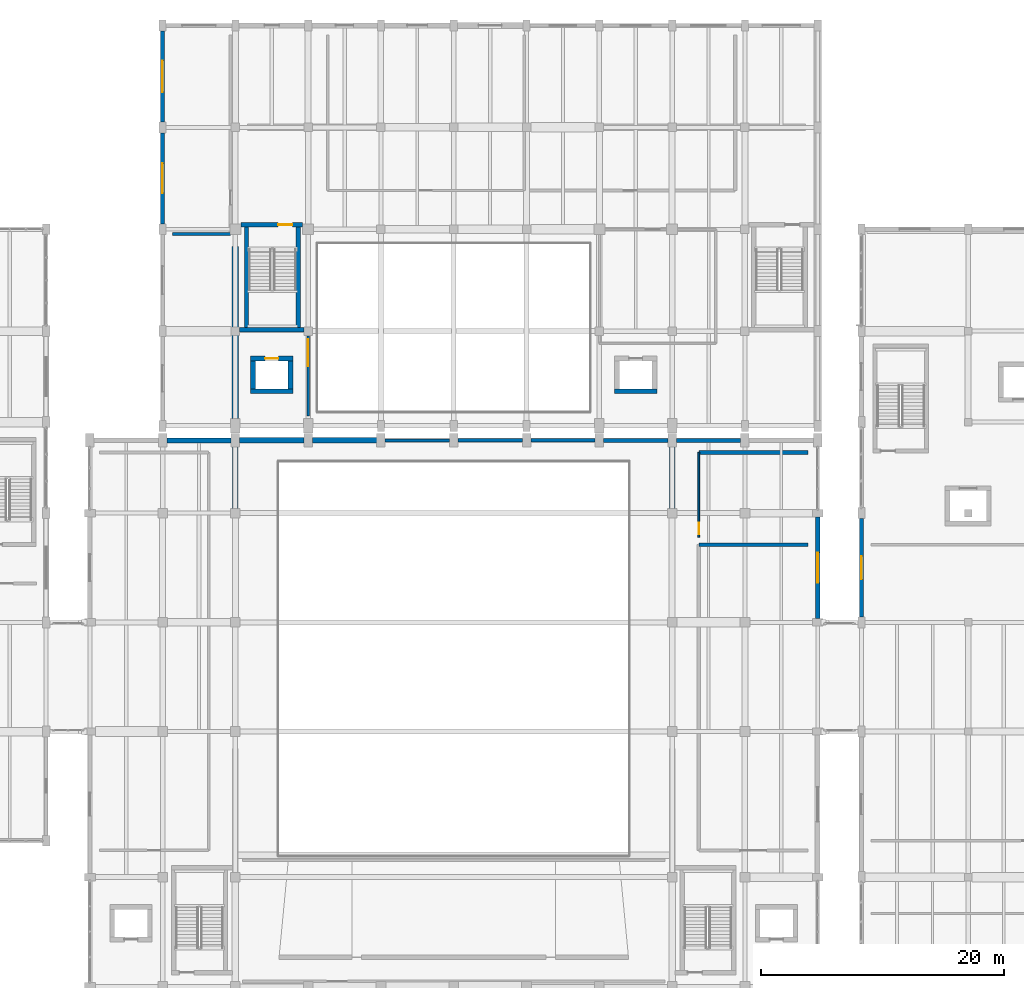
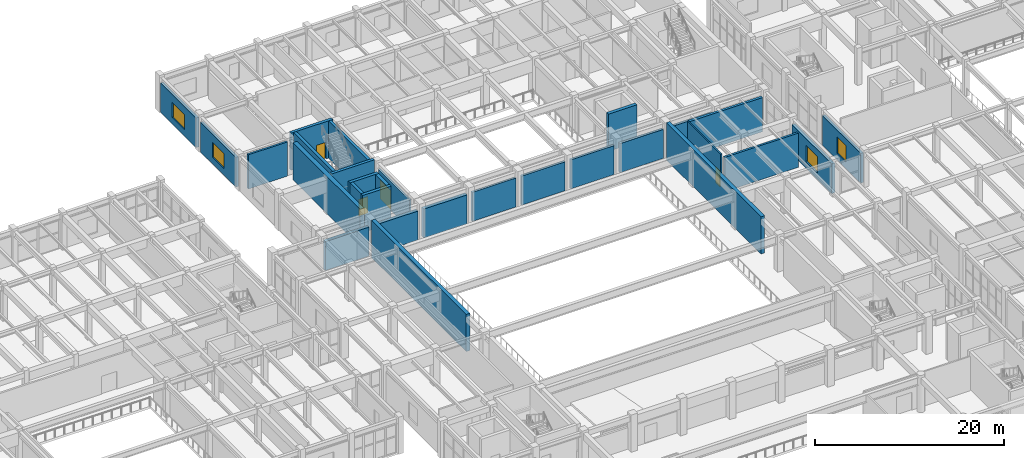
# One storey, part 72 of 96: 29 walls, 4 doors, 4 windows, 8 openings.
"""IFC4 building model written with IfcOpenShell, lengths in metres."""

from ifc_helpers import new_model, si_unit, direction, frame, frame_2d, origin, place, context, subcontext, project, spatial, rectangle, extrude, material, layer, layer_set, type_object, element, fill, save


model = new_model("IFC4")

# Units and contexts
model_context = context("Model", 3, precision=1e-05, world=origin(), true_north=direction((0.0, 1.0)))
body_context = subcontext(model_context, "Body", "Model", "MODEL_VIEW")
ifc_project = project(units=[si_unit("LENGTHUNIT", "METRE"), si_unit("AREAUNIT", "SQUARE_METRE"), si_unit("VOLUMEUNIT", "CUBIC_METRE"), si_unit("PLANEANGLEUNIT", "RADIAN"), si_unit("MASSUNIT", "GRAM", prefix="KILO")], contexts=[model_context])

# Site, building, storey
site_placement = place(None, origin())
site = spatial("IfcSite", under=ifc_project, at=site_placement, CompositionType="ELEMENT")
building_placement = place(site_placement, origin())
building = spatial("IfcBuilding", under=site, at=building_placement, Name="Vaelkrest Opera House", CompositionType="ELEMENT")
storey_placement = place(building_placement, frame((0.0, 0.0, 5.39990234375)))
storey = spatial("IfcBuildingStorey", under=building, at=storey_placement, Name="L01", CompositionType="ELEMENT", Elevation=5.39990234375)

# Walls
ifc_material_1 = material(Name="Douglas fir glulam GL28h", Category="wood")
ifc_layer_1 = layer(ifc_material_1, 0.2548828125)
ifc_layer_set_1 = layer_set([ifc_layer_1], Name="Douglas fir glulam GL28h")
wall_type_1 = type_object("IfcWallType", Name="EW01", PredefinedType="STANDARD", material=ifc_layer_set_1)
wall_1_placement = place(storey_placement, frame((-5.652099609375, 16.199951171875, 0.0), z_axis=(0.0, 0.0, 1.0), x_axis=(1.0, 0.0, 0.0)))
element("IfcWall", 1, at=wall_1_placement, inside=storey, type_object=wall_type_1, Name="Exterior facade wall EW-V1-L01-0041", PredefinedType="STANDARD", context=body_context, shape_type="SweptSolid", body=[
    extrude(rectangle(XDim=5.30419921875, YDim=0.2548828125, at=frame_2d((2.652099609375, 0.0))), origin(), (0.0, 0.0, 1.0), 3.739990234375),
])
ifc_layer_2 = layer(ifc_material_1, 0.27490234375)
ifc_layer_set_2 = layer_set([ifc_layer_2], Name="Douglas fir glulam GL28h")
wall_type_2 = type_object("IfcWallType", Name="EW02", PredefinedType="STANDARD", material=ifc_layer_set_2)
wall_2_placement = place(storey_placement, frame((0.347900390625, 16.199951171875, 0.0), z_axis=(0.0, 0.0, 1.0), x_axis=(1.0, 0.0, 0.0)))
element("IfcWall", 2, at=wall_2_placement, inside=storey, type_object=wall_type_2, Name="Exterior facade wall EW-V1-L01-0042", PredefinedType="STANDARD", context=body_context, shape_type="SweptSolid", body=[
    extrude(rectangle(XDim=5.30419921875, YDim=0.27490234375, at=frame_2d((2.652099609375, 0.0))), origin(), (0.0, 0.0, 1.0), 3.739990234375),
])
ifc_layer_3 = layer(ifc_material_1, 0.294921875)
ifc_layer_set_3 = layer_set([ifc_layer_3], Name="Douglas fir glulam GL28h")
wall_type_3 = type_object("IfcWallType", Name="EW03", PredefinedType="STANDARD", material=ifc_layer_set_3)
wall_3_placement = place(storey_placement, frame((6.347900390625, 16.199951171875, 0.0), z_axis=(0.0, 0.0, 1.0), x_axis=(1.0, 0.0, 0.0)))
element("IfcWall", 3, at=wall_3_placement, inside=storey, type_object=wall_type_3, Name="Exterior facade wall EW-V1-L01-0043", PredefinedType="STANDARD", context=body_context, shape_type="SweptSolid", body=[
    extrude(rectangle(XDim=5.30419921875, YDim=0.294921875, at=frame_2d((2.652099609375, 0.0))), origin(), (0.0, 0.0, 1.0), 3.739990234375),
])
ifc_material_2 = material(Name="American black walnut acoustic timber", Category="wood")
ifc_layer_4 = layer(ifc_material_2, 0.31494140625)
ifc_layer_set_4 = layer_set([ifc_layer_4], Name="American black walnut acoustic timber")
wall_type_4 = type_object("IfcWallType", Name="EW04", PredefinedType="STANDARD", material=ifc_layer_set_4)
wall_4_placement = place(storey_placement, frame((12.347900390625, 16.199951171875, 0.0), z_axis=(0.0, 0.0, 1.0), x_axis=(1.0, 0.0, 0.0)))
element("IfcWall", 4, at=wall_4_placement, inside=storey, type_object=wall_type_4, Name="Exterior facade wall EW-V1-L01-0044", PredefinedType="STANDARD", context=body_context, shape_type="SweptSolid", body=[
    extrude(rectangle(XDim=5.30419921875, YDim=0.31494140625, at=frame_2d((2.652099609375, 0.0))), origin(), (0.0, 0.0, 1.0), 3.739990234375),
])

# Wall, opening, window
wall_5_placement = place(storey_placement, frame((-24.0, 34.048095703125, 0.0), z_axis=(0.0, 0.0, 1.0), x_axis=(0.0, 1.0, 0.0)))
wall_5 = element("IfcWall", 5, at=wall_5_placement, inside=storey, type_object=wall_type_4, Name="Exterior facade wall EW-V2-L01-0344", PredefinedType="STANDARD", context=body_context, shape_type="SweptSolid", body=[
    extrude(rectangle(XDim=7.50390625, YDim=0.31494140625, at=frame_2d((3.751953125, 0.0))), origin(), (0.0, 0.0, 1.0), 3.8291015625),
])
opening_1_placement = place(wall_5_placement, frame((2.527099609375, 0.0, 0.85009765625)))
opening_1 = element("IfcOpeningElement", 6, at=opening_1_placement, cuts=wall_5, Name="Opening WN218", PredefinedType="OPENING", context=body_context, shape_type="SweptSolid", body=[
    extrude(rectangle(XDim=2.449951171875, YDim=1.949951171875, at=frame_2d((1.22509765625, 0.97509765625))), frame((0.0, 0.16748046875, 0.0), z_axis=(0.0, -1.0, 0.0), x_axis=(1.0, 0.0, 0.0)), (0.0, 0.0, 1.0), 0.3349609375),
])
ifc_material_3 = material(Name="Double low-E insulated glazing", Category="glass")
window_type_1 = type_object("IfcWindowType", Name="WT10", PartitioningType="SINGLE_PANEL", PredefinedType="WINDOW", material=ifc_material_3)
window_1_placement = place(opening_1_placement, origin())
window_1 = element("IfcWindow", 7, at=window_1_placement, inside=storey, type_object=window_type_1, Name="Facade window WN218", OverallHeight=1.949951171875, OverallWidth=2.449951171875, PartitioningType="SINGLE_PANEL", PredefinedType="WINDOW", context=body_context, shape_type="SweptSolid", body=[
    extrude(rectangle(XDim=2.449951171875, YDim=1.949951171875, at=frame_2d((1.22509765625, 0.97509765625))), frame((0.0, 0.030029296875, 0.0), z_axis=(0.0, -1.0, 0.0), x_axis=(1.0, 0.0, 0.0)), (0.0, 0.0, 1.0), 0.06005859375),
])
fill(opening_1, window_1)

# Wall
ifc_layer_5 = layer(ifc_material_2, 0.3349609375)
ifc_layer_set_5 = layer_set([ifc_layer_5], Name="American black walnut acoustic timber")
wall_type_5 = type_object("IfcWallType", Name="EW05", PredefinedType="STANDARD", material=ifc_layer_set_5)
wall_6_placement = place(storey_placement, frame((18.347900390625, 16.199951171875, 0.0), z_axis=(0.0, 0.0, 1.0), x_axis=(1.0, 0.0, 0.0)))
element("IfcWall", 8, at=wall_6_placement, inside=storey, type_object=wall_type_5, Name="Exterior facade wall EW-V1-L01-0045", PredefinedType="STANDARD", context=body_context, shape_type="SweptSolid", body=[
    extrude(rectangle(XDim=5.30419921875, YDim=0.3349609375, at=frame_2d((2.652099609375, 0.0))), origin(), (0.0, 0.0, 1.0), 3.739990234375),
])

# Wall, opening, window
wall_7_placement = place(storey_placement, frame((33.60009765625, 1.64794921875, 0.0), z_axis=(0.0, 0.0, 1.0), x_axis=(0.0, 1.0, 0.0)))
wall_7 = element("IfcWall", 9, at=wall_7_placement, inside=storey, type_object=wall_type_5, Name="Exterior facade wall EW-V4-L01-0235", PredefinedType="STANDARD", context=body_context, shape_type="SweptSolid", body=[
    extrude(rectangle(XDim=8.10400390625, YDim=0.3349609375, at=frame_2d((4.052001953125, 0.0))), origin(), (0.0, 0.0, 1.0), 3.82421875),
])
opening_2_placement = place(wall_7_placement, frame((3.10205078125, 0.0, 0.85009765625)))
opening_2 = element("IfcOpeningElement", 10, at=opening_2_placement, cuts=wall_7, Name="Opening WN120", PredefinedType="OPENING", context=body_context, shape_type="SweptSolid", body=[
    extrude(rectangle(XDim=1.89990234375, YDim=2.10009765625, at=frame_2d((0.949951171875, 1.050048828125))), frame((0.0, 0.177490234375, 0.0), z_axis=(0.0, -1.0, 0.0), x_axis=(1.0, 0.0, 0.0)), (0.0, 0.0, 1.0), 0.35498046875),
])
window_type_2 = type_object("IfcWindowType", Name="WT16", PartitioningType="SINGLE_PANEL", PredefinedType="WINDOW", material=ifc_material_3)
window_2_placement = place(opening_2_placement, origin())
window_2 = element("IfcWindow", 11, at=window_2_placement, inside=storey, type_object=window_type_2, Name="Facade window WN120", OverallHeight=2.10009765625, OverallWidth=1.89990234375, PartitioningType="SINGLE_PANEL", PredefinedType="WINDOW", context=body_context, shape_type="SweptSolid", body=[
    extrude(rectangle(XDim=1.89990234375, YDim=2.10009765625, at=frame_2d((0.949951171875, 1.050048828125))), frame((0.0, 0.030029296875, 0.0), z_axis=(0.0, -1.0, 0.0), x_axis=(1.0, 0.0, 0.0)), (0.0, 0.0, 1.0), 0.06005859375),
])
fill(opening_2, window_2)

wall_8_placement = place(storey_placement, frame((-24.0, 42.447998046875, 0.0), z_axis=(0.0, 0.0, 1.0), x_axis=(0.0, 1.0, 0.0)))
wall_8 = element("IfcWall", 12, at=wall_8_placement, inside=storey, type_object=wall_type_5, Name="Exterior facade wall EW-V2-L01-0345", PredefinedType="STANDARD", context=body_context, shape_type="SweptSolid", body=[
    extrude(rectangle(XDim=7.50390625, YDim=0.3349609375, at=frame_2d((3.751953125, 0.0))), origin(), (0.0, 0.0, 1.0), 3.8291015625),
])
opening_3_placement = place(wall_8_placement, frame((2.451904296875, 0.0, 0.85009765625)))
opening_3 = element("IfcOpeningElement", 13, at=opening_3_placement, cuts=wall_8, Name="Opening WN219", PredefinedType="OPENING", context=body_context, shape_type="SweptSolid", body=[
    extrude(rectangle(XDim=2.60009765625, YDim=1.949951171875, at=frame_2d((1.300048828125, 0.97509765625))), frame((0.0, 0.177490234375, 0.0), z_axis=(0.0, -1.0, 0.0), x_axis=(1.0, 0.0, 0.0)), (0.0, 0.0, 1.0), 0.35498046875),
])
window_type_3 = type_object("IfcWindowType", Name="WT11", PartitioningType="SINGLE_PANEL", PredefinedType="WINDOW", material=ifc_material_3)
window_3_placement = place(opening_3_placement, origin())
window_3 = element("IfcWindow", 14, at=window_3_placement, inside=storey, type_object=window_type_3, Name="Facade window WN219", OverallHeight=1.949951171875, OverallWidth=2.60009765625, PartitioningType="SINGLE_PANEL", PredefinedType="WINDOW", context=body_context, shape_type="SweptSolid", body=[
    extrude(rectangle(XDim=2.60009765625, YDim=1.949951171875, at=frame_2d((1.300048828125, 0.97509765625))), frame((0.0, 0.030029296875, 0.0), z_axis=(0.0, -1.0, 0.0), x_axis=(1.0, 0.0, 0.0)), (0.0, 0.0, 1.0), 0.06005859375),
])
fill(opening_3, window_3)

ifc_material_4 = material(Name="Concrete C40/50", Category="concrete")
ifc_layer_6 = layer(ifc_material_4, 0.385009765625)
ifc_layer_set_6 = layer_set([ifc_layer_6], Name="Concrete C40/50")
wall_type_6 = type_object("IfcWallType", Name="EW07", PredefinedType="STANDARD", material=ifc_layer_set_6)
wall_9_placement = place(storey_placement, frame((30.0, 9.902099609375, 0.0), z_axis=(0.0, 0.0, 1.0), x_axis=(0.0, -1.0, 0.0)))
wall_9 = element("IfcWall", 15, at=wall_9_placement, inside=storey, type_object=wall_type_6, Name="Exterior facade wall EW-V1-L01-0047", PredefinedType="STANDARD", context=body_context, shape_type="SweptSolid", body=[
    extrude(rectangle(XDim=8.404052734375, YDim=0.385009765625, at=frame_2d((4.2021484375, 0.0))), origin(), (0.0, 0.0, 1.0), 3.82421875),
])
opening_4_placement = place(wall_9_placement, frame((2.951904296875, 0.0, 0.85009765625)))
opening_4 = element("IfcOpeningElement", 16, at=opening_4_placement, cuts=wall_9, Name="Opening WN018", PredefinedType="OPENING", context=body_context, shape_type="SweptSolid", body=[
    extrude(rectangle(XDim=2.5, YDim=2.10009765625, at=frame_2d((1.25, 1.050048828125))), frame((0.0, 0.202392578125, 0.0), z_axis=(0.0, -1.0, 0.0), x_axis=(1.0, 0.0, 0.0)), (0.0, 0.0, 1.0), 0.405029296875),
])
window_type_4 = type_object("IfcWindowType", Name="WT18", PartitioningType="SINGLE_PANEL", PredefinedType="WINDOW", material=ifc_material_3)
window_4_placement = place(opening_4_placement, origin())
window_4 = element("IfcWindow", 17, at=window_4_placement, inside=storey, type_object=window_type_4, Name="Facade window WN018", OverallHeight=2.10009765625, OverallWidth=2.5, PartitioningType="SINGLE_PANEL", PredefinedType="WINDOW", context=body_context, shape_type="SweptSolid", body=[
    extrude(rectangle(XDim=2.5, YDim=2.10009765625, at=frame_2d((1.25, 1.050048828125))), frame((0.0, 0.030029296875, 0.0), z_axis=(0.0, -1.0, 0.0), x_axis=(1.0, 0.0, 0.0)), (0.0, 0.0, 1.0), 0.06005859375),
])
fill(opening_4, window_4)

# Walls
ifc_layer_7 = layer(ifc_material_4, 0.409912109375)
ifc_layer_set_7 = layer_set([ifc_layer_7], Name="Concrete C40/50")
wall_type_7 = type_object("IfcWallType", Name="EW08", PredefinedType="STANDARD", material=ifc_layer_set_7)
wall_10_placement = place(storey_placement, frame((-23.652099609375, 16.199951171875, 0.0), z_axis=(0.0, 0.0, 1.0), x_axis=(1.0, 0.0, 0.0)))
element("IfcWall", 18, at=wall_10_placement, inside=storey, type_object=wall_type_7, Name="Exterior facade wall EW-V1-L01-0038", PredefinedType="STANDARD", context=body_context, shape_type="SweptSolid", body=[
    extrude(rectangle(XDim=5.30419921875, YDim=0.409912109375, at=frame_2d((2.652099609375, 0.0))), origin(), (0.0, 0.0, 1.0), 3.739990234375),
])
ifc_layer_8 = layer(ifc_material_4, 0.43505859375)
ifc_layer_set_8 = layer_set([ifc_layer_8], Name="Concrete C40/50")
wall_type_8 = type_object("IfcWallType", Name="EW09", PredefinedType="STANDARD", material=ifc_layer_set_8)
wall_11_placement = place(storey_placement, frame((-17.652099609375, 16.199951171875, 0.0), z_axis=(0.0, 0.0, 1.0), x_axis=(1.0, 0.0, 0.0)))
element("IfcWall", 19, at=wall_11_placement, inside=storey, type_object=wall_type_8, Name="Exterior facade wall EW-V1-L01-0039", PredefinedType="STANDARD", context=body_context, shape_type="SweptSolid", body=[
    extrude(rectangle(XDim=5.30419921875, YDim=0.43505859375, at=frame_2d((2.652099609375, 0.0))), origin(), (0.0, 0.0, 1.0), 3.739990234375),
])
ifc_layer_9 = layer(ifc_material_4, 0.465087890625)
ifc_layer_set_9 = layer_set([ifc_layer_9], Name="Concrete C40/50")
wall_type_9 = type_object("IfcWallType", Name="EW10", PredefinedType="STANDARD", material=ifc_layer_set_9)
wall_12_placement = place(storey_placement, frame((-11.652099609375, 16.199951171875, 0.0), z_axis=(0.0, 0.0, 1.0), x_axis=(1.0, 0.0, 0.0)))
element("IfcWall", 20, at=wall_12_placement, inside=storey, type_object=wall_type_9, Name="Exterior facade wall EW-V1-L01-0040", PredefinedType="STANDARD", context=body_context, shape_type="SweptSolid", body=[
    extrude(rectangle(XDim=5.30419921875, YDim=0.465087890625, at=frame_2d((2.652099609375, 0.0))), origin(), (0.0, 0.0, 1.0), 3.739990234375),
])

# Wall, opening, door
ifc_layer_10 = layer(ifc_material_2, 0.2099609375)
ifc_layer_set_10 = layer_set([ifc_layer_10], Name="American black walnut acoustic timber")
wall_type_10 = type_object("IfcWallType", Name="PT07", PredefinedType="PARTITIONING", material=ifc_layer_set_10)
wall_13_placement = place(storey_placement, frame((-12.0, 18.199951171875, 0.0), z_axis=(0.0, 0.0, 1.0), x_axis=(0.0, 1.0, 0.0)))
wall_13 = element("IfcWall", 21, at=wall_13_placement, inside=storey, type_object=wall_type_10, Name="Interior partition PT-V2-L01-0183", PredefinedType="PARTITIONING", context=body_context, shape_type="SweptSolid", body=[
    extrude(rectangle(XDim=6.60009765625, YDim=0.2099609375, at=frame_2d((3.300048828125, 0.0))), origin(), (0.0, 0.0, 1.0), 3.739990234375),
])
opening_5_placement = place(wall_13_placement, frame((4.10009765625, 0.0, 0.0)))
opening_5 = element("IfcOpeningElement", 22, at=opening_5_placement, cuts=wall_13, Name="Opening D070", PredefinedType="OPENING", context=body_context, shape_type="SweptSolid", body=[
    extrude(rectangle(XDim=2.25, YDim=2.449951171875, at=frame_2d((1.125, 1.22509765625))), frame((0.0, 0.114990234375, 0.0), z_axis=(0.0, -1.0, 0.0), x_axis=(1.0, 0.0, 0.0)), (0.0, 0.0, 1.0), 0.22998046875),
])
door_type_1 = type_object("IfcDoorType", Name="DT26", OperationType="DOUBLE_DOOR_SINGLE_SWING", PredefinedType="DOOR", material=ifc_material_2)
door_1_placement = place(opening_5_placement, origin())
door_1 = element("IfcDoor", 23, at=door_1_placement, inside=storey, type_object=door_type_1, Name="Interior door D070 (Fly Gallery)", OperationType="DOUBLE_DOOR_SINGLE_SWING", OverallHeight=2.449951171875, OverallWidth=2.25, PredefinedType="DOOR", context=body_context, shape_type="SweptSolid", body=[
    extrude(rectangle(XDim=2.25, YDim=2.449951171875, at=frame_2d((1.125, 1.22509765625))), frame((0.0, 0.02490234375, 0.0), z_axis=(0.0, -1.0, 0.0), x_axis=(1.0, 0.0, 0.0)), (0.0, 0.0, 1.0), 0.050048828125),
])
fill(opening_5, door_1)

# Walls
ifc_layer_11 = layer(ifc_material_4, 0.239990234375)
ifc_layer_set_11 = layer_set([ifc_layer_11], Name="Concrete C40/50")
wall_type_11 = type_object("IfcWallType", Name="PT09", PredefinedType="PARTITIONING", material=ifc_layer_set_11)
wall_14_placement = place(storey_placement, frame((-23.199951171875, 33.199951171875, 0.0), z_axis=(0.0, 0.0, 1.0), x_axis=(1.0, 0.0, 0.0)))
element("IfcWall", 24, at=wall_14_placement, inside=storey, type_object=wall_type_11, Name="Interior partition PT-V2-L01-0193", PredefinedType="PARTITIONING", context=body_context, shape_type="SweptSolid", body=[
    extrude(rectangle(XDim=4.800048828125, YDim=0.239990234375, at=frame_2d((2.39990234375, 0.0))), origin(), (0.0, 0.0, 1.0), 4.420166015625),
])
ifc_layer_12 = layer(ifc_material_4, 0.260009765625)
ifc_layer_set_12 = layer_set([ifc_layer_12], Name="Concrete C40/50")
wall_type_12 = type_object("IfcWallType", Name="PT10", PredefinedType="PARTITIONING", material=ifc_layer_set_12)
wall_15_placement = place(storey_placement, frame((20.199951171875, 7.60009765625, 0.0), z_axis=(0.0, 0.0, 1.0), x_axis=(1.0, 0.0, 0.0)))
element("IfcWall", 25, at=wall_15_placement, inside=storey, type_object=wall_type_12, Name="Interior partition PT-V1-L01-0066", PredefinedType="PARTITIONING", context=body_context, shape_type="SweptSolid", body=[
    extrude(rectangle(XDim=9.0, YDim=0.260009765625, at=frame_2d((4.5, 0.0))), origin(), (0.0, 0.0, 1.0), 4.420166015625),
])
ifc_layer_13 = layer(ifc_material_4, 0.304931640625)
ifc_layer_set_13 = layer_set([ifc_layer_13], Name="Concrete C40/50")
wall_type_13 = type_object("IfcWallType", Name="PT12", PredefinedType="PARTITIONING", material=ifc_layer_set_13)
wall_16_placement = place(storey_placement, frame((20.199951171875, 15.199951171875, 0.0), z_axis=(0.0, 0.0, 1.0), x_axis=(1.0, 0.0, 0.0)))
element("IfcWall", 26, at=wall_16_placement, inside=storey, type_object=wall_type_13, Name="Interior partition PT-V1-L01-0068", PredefinedType="PARTITIONING", context=body_context, shape_type="SweptSolid", body=[
    extrude(rectangle(XDim=9.0, YDim=0.304931640625, at=frame_2d((4.5, 0.0))), origin(), (0.0, 0.0, 1.0), 4.420166015625),
])

# Wall, opening, door
ifc_material_5 = material(Name="Gypsum acoustic board", Category="gypsum")
ifc_layer_14 = layer(ifc_material_5, 0.14501953125)
ifc_layer_set_14 = layer_set([ifc_layer_14], Name="Gypsum acoustic board")
wall_type_14 = type_object("IfcWallType", Name="PT13", PredefinedType="PARTITIONING", material=ifc_layer_set_14)
wall_17_placement = place(storey_placement, frame((20.199951171875, 8.199951171875, 0.0), z_axis=(0.0, 0.0, 1.0), x_axis=(0.0, 1.0, 0.0)))
wall_17 = element("IfcWall", 27, at=wall_17_placement, inside=storey, type_object=wall_type_14, Name="Interior partition PT-V1-L01-0069", PredefinedType="PARTITIONING", context=body_context, shape_type="SweptSolid", body=[
    extrude(rectangle(XDim=7.0, YDim=0.14501953125, at=frame_2d((3.5, 0.0))), origin(), (0.0, 0.0, 1.0), 4.420166015625),
])
opening_6_placement = place(wall_17_placement, frame((0.25, 0.0, 0.0)))
opening_6 = element("IfcOpeningElement", 28, at=opening_6_placement, cuts=wall_17, Name="Opening D026", PredefinedType="OPENING", context=body_context, shape_type="SweptSolid", body=[
    extrude(rectangle(XDim=0.93994140625, YDim=2.10009765625, at=frame_2d((0.469970703125, 1.050048828125))), frame((0.0, 0.08251953125, 0.0), z_axis=(0.0, -1.0, 0.0), x_axis=(1.0, 0.0, 0.0)), (0.0, 0.0, 1.0), 0.1650390625),
])
door_type_2 = type_object("IfcDoorType", Name="DT02", OperationType="NOTDEFINED", PredefinedType="DOOR", material=ifc_material_2)
door_2_placement = place(opening_6_placement, origin())
door_2 = element("IfcDoor", 29, at=door_2_placement, inside=storey, type_object=door_type_2, Name="Interior door D026 (Accessible Washroom)", OperationType="SINGLE_SWING_RIGHT", OverallHeight=2.10009765625, OverallWidth=0.93994140625, PredefinedType="DOOR", context=body_context, shape_type="SweptSolid", body=[
    extrude(rectangle(XDim=0.93994140625, YDim=2.10009765625, at=frame_2d((0.469970703125, 1.050048828125))), frame((0.0, 0.02490234375, 0.0), z_axis=(0.0, -1.0, 0.0), x_axis=(1.0, 0.0, 0.0)), (0.0, 0.0, 1.0), 0.050048828125),
])
fill(opening_6, door_2)

# Walls
ifc_material_6 = material(Name="Concrete C50/60", Category="concrete")
ifc_layer_15 = layer(ifc_material_6, 0.35009765625)
ifc_layer_set_15 = layer_set([ifc_layer_15], Name="Concrete C50/60")
wall_type_15 = type_object("IfcWallType", Name="SW01", PredefinedType="SHEAR", material=ifc_layer_set_15)
wall_18_placement = place(storey_placement, frame((-12.35009765625, 25.324951171875, 0.0), z_axis=(0.0, 0.0, 1.0), x_axis=(-1.0, 0.0, 0.0)))
element("IfcWall", 30, at=wall_18_placement, inside=storey, type_object=wall_type_15, Name="Stair core ST05 wall L01 S", PredefinedType="SHEAR", context=body_context, shape_type="SweptSolid", body=[
    extrude(rectangle(XDim=5.2998046875, YDim=0.35009765625, at=frame_2d((2.64990234375, 0.0))), origin(), (0.0, 0.0, 1.0), 4.800048828125),
])
wall_19_placement = place(storey_placement, frame((-17.074951171875, 25.5, 0.0), z_axis=(0.0, 0.0, 1.0), x_axis=(0.0, 1.0, 0.0)))
element("IfcWall", 31, at=wall_19_placement, inside=storey, type_object=wall_type_15, Name="Stair core ST05 wall L01 W", PredefinedType="SHEAR", context=body_context, shape_type="SweptSolid", body=[
    extrude(rectangle(XDim=8.300048828125, YDim=0.35009765625, at=frame_2d((4.14990234375, 0.0))), origin(), (0.0, 0.0, 1.0), 4.800048828125),
])

# Wall, opening, door
wall_20_placement = place(storey_placement, frame((-17.550048828125, 33.97509765625, 0.0), z_axis=(0.0, 0.0, 1.0), x_axis=(1.0, 0.0, 0.0)))
wall_20 = element("IfcWall", 32, at=wall_20_placement, inside=storey, type_object=wall_type_15, Name="Stair core ST05 wall L01 N", PredefinedType="SHEAR", context=body_context, shape_type="SweptSolid", body=[
    extrude(rectangle(XDim=5.10009765625, YDim=0.35009765625, at=frame_2d((2.550048828125, 0.0))), origin(), (0.0, 0.0, 1.0), 4.800048828125),
])
opening_7_placement = place(wall_20_placement, frame((3.070068359375, 0.0, 0.0)))
opening_7 = element("IfcOpeningElement", 33, at=opening_7_placement, cuts=wall_20, Name="Opening SD-ST05-L01", PredefinedType="OPENING", context=body_context, shape_type="SweptSolid", body=[
    extrude(rectangle(XDim=1.179931640625, YDim=2.14990234375, at=frame_2d((0.58984375, 1.074951171875))), frame((0.0, 0.18505859375, 0.0), z_axis=(0.0, -1.0, 0.0), x_axis=(1.0, 0.0, 0.0)), (0.0, 0.0, 1.0), 0.3701171875),
])
door_type_3 = type_object("IfcDoorType", Name="DT07", OperationType="NOTDEFINED", PredefinedType="DOOR", material=ifc_material_2)
door_3_placement = place(opening_7_placement, origin())
door_3 = element("IfcDoor", 34, at=door_3_placement, inside=storey, type_object=door_type_3, Name="Protected stair door SD-ST05-L01", OperationType="SINGLE_SWING_RIGHT", OverallHeight=2.14990234375, OverallWidth=1.179931640625, PredefinedType="DOOR", context=body_context, shape_type="SweptSolid", body=[
    extrude(rectangle(XDim=1.179931640625, YDim=2.14990234375, at=frame_2d((0.58984375, 1.074951171875))), frame((0.0, 0.02490234375, 0.0), z_axis=(0.0, -1.0, 0.0), x_axis=(1.0, 0.0, 0.0)), (0.0, 0.0, 1.0), 0.050048828125),
])
fill(opening_7, door_3)

# Walls
wall_21_placement = place(storey_placement, frame((-12.824951171875, 33.800048828125, 0.0), z_axis=(0.0, 0.0, 1.0), x_axis=(0.0, -1.0, 0.0)))
element("IfcWall", 35, at=wall_21_placement, inside=storey, type_object=wall_type_15, Name="Stair core ST05 wall L01 E", PredefinedType="SHEAR", context=body_context, shape_type="SweptSolid", body=[
    extrude(rectangle(XDim=8.300048828125, YDim=0.35009765625, at=frame_2d((4.14990234375, 0.0))), origin(), (0.0, 0.0, 1.0), 4.800048828125),
])
ifc_layer_16 = layer(ifc_material_6, 0.389892578125)
ifc_layer_set_16 = layer_set([ifc_layer_16], Name="Concrete C50/60")
wall_type_16 = type_object("IfcWallType", Name="SW02", PredefinedType="SHEAR", material=ifc_layer_set_16)
wall_22_placement = place(storey_placement, frame((-13.260009765625, 20.2548828125, 0.0), z_axis=(0.0, 0.0, 1.0), x_axis=(-1.0, 0.0, 0.0)))
element("IfcWall", 36, at=wall_22_placement, inside=storey, type_object=wall_type_16, Name="Lift shaft LF01 wall L01 S", PredefinedType="SHEAR", context=body_context, shape_type="SweptSolid", body=[
    extrude(rectangle(XDim=3.47998046875, YDim=0.389892578125, at=frame_2d((1.739990234375, 0.0))), origin(), (0.0, 0.0, 1.0), 4.800048828125),
])

# Wall, opening, door
wall_23_placement = place(storey_placement, frame((-16.739990234375, 22.945068359375, 0.0), z_axis=(0.0, 0.0, 1.0), x_axis=(1.0, 0.0, 0.0)))
wall_23 = element("IfcWall", 37, at=wall_23_placement, inside=storey, type_object=wall_type_16, Name="Lift shaft LF01 wall L01 N", PredefinedType="SHEAR", context=body_context, shape_type="SweptSolid", body=[
    extrude(rectangle(XDim=3.47998046875, YDim=0.389892578125, at=frame_2d((1.739990234375, 0.0))), origin(), (0.0, 0.0, 1.0), 4.800048828125),
])
opening_8_placement = place(wall_23_placement, frame((1.18994140625, 0.0, 0.0)))
opening_8 = element("IfcOpeningElement", 38, at=opening_8_placement, cuts=wall_23, Name="Opening LD-LF01-L01", PredefinedType="OPENING", context=body_context, shape_type="SweptSolid", body=[
    extrude(rectangle(XDim=1.10009765625, YDim=2.14990234375, at=frame_2d((0.550048828125, 1.074951171875))), frame((0.0, 0.204833984375, 0.0), z_axis=(0.0, -1.0, 0.0), x_axis=(1.0, 0.0, 0.0)), (0.0, 0.0, 1.0), 0.409912109375),
])
ifc_material_7 = material(Name="Dark bronze anodized aluminium", Category="aluminium")
door_type_4 = type_object("IfcDoorType", Name="LDT01", OperationType="SLIDING_TO_LEFT", PredefinedType="DOOR", material=ifc_material_7)
door_4_placement = place(opening_8_placement, origin())
door_4 = element("IfcDoor", 39, at=door_4_placement, inside=storey, type_object=door_type_4, Name="Lift landing sliding door LD-LF01-L01", OperationType="SLIDING_TO_LEFT", OverallHeight=2.14990234375, OverallWidth=1.10009765625, PredefinedType="DOOR", context=body_context, shape_type="SweptSolid", body=[
    extrude(rectangle(XDim=1.10009765625, YDim=2.14990234375, at=frame_2d((0.550048828125, 1.074951171875))), frame((0.0, 0.02490234375, 0.0), z_axis=(0.0, -1.0, 0.0), x_axis=(1.0, 0.0, 0.0)), (0.0, 0.0, 1.0), 0.050048828125),
])
fill(opening_8, door_4)

# Walls
for number, where, z_axis, x_axis, name in (
    (40, (-16.544921875, 20.449951171875, 0.0), (0.0, 0.0, 1.0), (0.0, 1.0, 0.0), "Lift shaft LF01 wall L01 W"),
    (41, (-13.455078125, 22.75, 0.0), (0.0, 0.0, 1.0), (0.0, -1.0, 0.0), "Lift shaft LF01 wall L01 E"),
):
    element("IfcWall", number, at=place(storey_placement, frame(where, z_axis=z_axis, x_axis=x_axis)), inside=storey, type_object=wall_type_16, Name=name, PredefinedType="SHEAR", context=body_context, shape_type="SweptSolid", body=[
        extrude(rectangle(XDim=2.300048828125, YDim=0.389892578125, at=frame_2d((1.14990234375, 0.0))), origin(), (0.0, 0.0, 1.0), 4.800048828125),
    ])
wall_24_placement = place(storey_placement, frame((16.739990234375, 20.2548828125, 0.0), z_axis=(0.0, 0.0, 1.0), x_axis=(-1.0, 0.0, 0.0)))
element("IfcWall", 42, at=wall_24_placement, inside=storey, type_object=wall_type_16, Name="Lift shaft LF02 wall L01 S", PredefinedType="SHEAR", context=body_context, shape_type="SweptSolid", body=[
    extrude(rectangle(XDim=3.47998046875, YDim=0.389892578125, at=frame_2d((1.739990234375, 0.0))), origin(), (0.0, 0.0, 1.0), 4.800048828125),
])
ifc_layer_17 = layer(ifc_material_6, 0.449951171875)
ifc_layer_set_17 = layer_set([ifc_layer_17], Name="Concrete C50/60")
wall_type_17 = type_object("IfcWallType", Name="SW03", PredefinedType="SHEAR", material=ifc_layer_set_17)
for number, where, z_axis, x_axis, name in (
    (43, (-18.0, -4.39990234375, 0.0), (0.0, 0.0, 1.0), (0.0, 1.0, 0.0), "Auditorium shell wall W2 L01"),
    (44, (18.0, -4.39990234375, 0.0), (0.0, 0.0, 1.0), (0.0, 1.0, 0.0), "Auditorium shell wall E2 L01"),
):
    element("IfcWall", number, at=place(storey_placement, frame(where, z_axis=z_axis, x_axis=x_axis)), inside=storey, type_object=wall_type_17, Name=name, PredefinedType="SHEAR", context=body_context, shape_type="SweptSolid", body=[
        extrude(rectangle(XDim=20.0498046875, YDim=0.449951171875, at=frame_2d((10.02490234375, 0.0))), origin(), (0.0, 0.0, 1.0), 4.800048828125),
    ])
ifc_layer_18 = layer(ifc_material_6, 0.52001953125)
ifc_layer_set_18 = layer_set([ifc_layer_18], Name="Concrete C50/60")
wall_type_18 = type_object("IfcWallType", Name="SW04", PredefinedType="SHEAR", material=ifc_layer_set_18)
wall_25_placement = place(storey_placement, frame((-18.0, 18.0, 0.0), z_axis=(0.0, 0.0, 1.0), x_axis=(0.0, 1.0, 0.0)))
element("IfcWall", 45, at=wall_25_placement, inside=storey, type_object=wall_type_18, Name="Fly tower west shear wall L01", PredefinedType="SHEAR", context=body_context, shape_type="SweptSolid", body=[
    extrude(rectangle(XDim=14.199951171875, YDim=0.52001953125, at=frame_2d((7.10009765625, 0.0))), origin(), (0.0, 0.0, 1.0), 4.800048828125),
])

save(model, "model.ifc")
